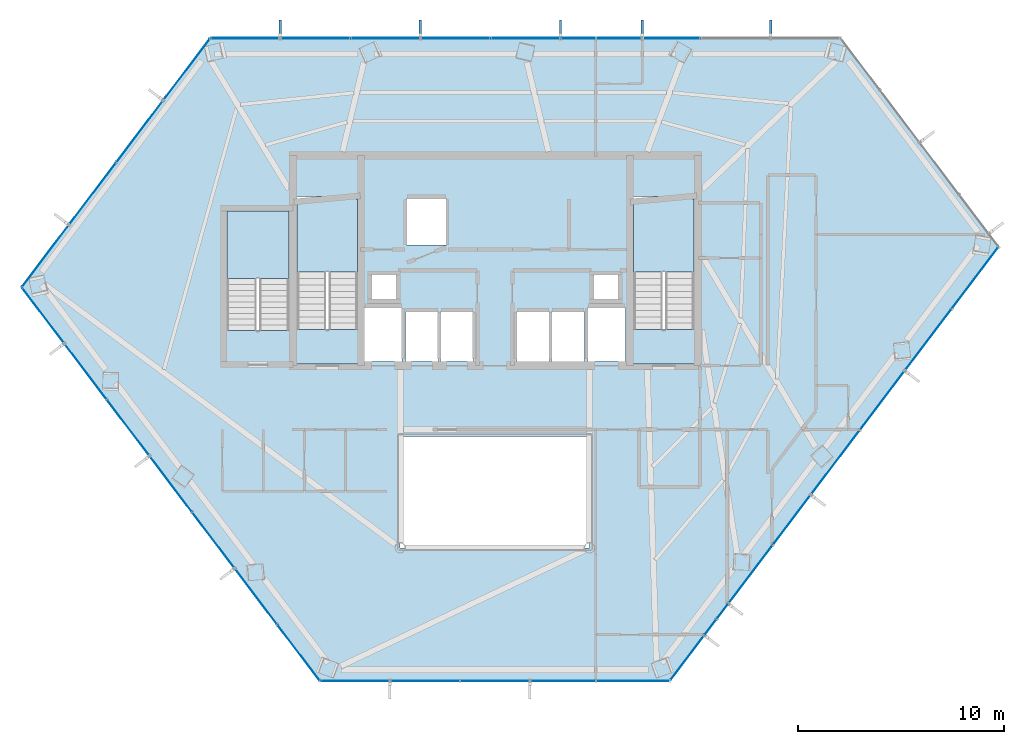
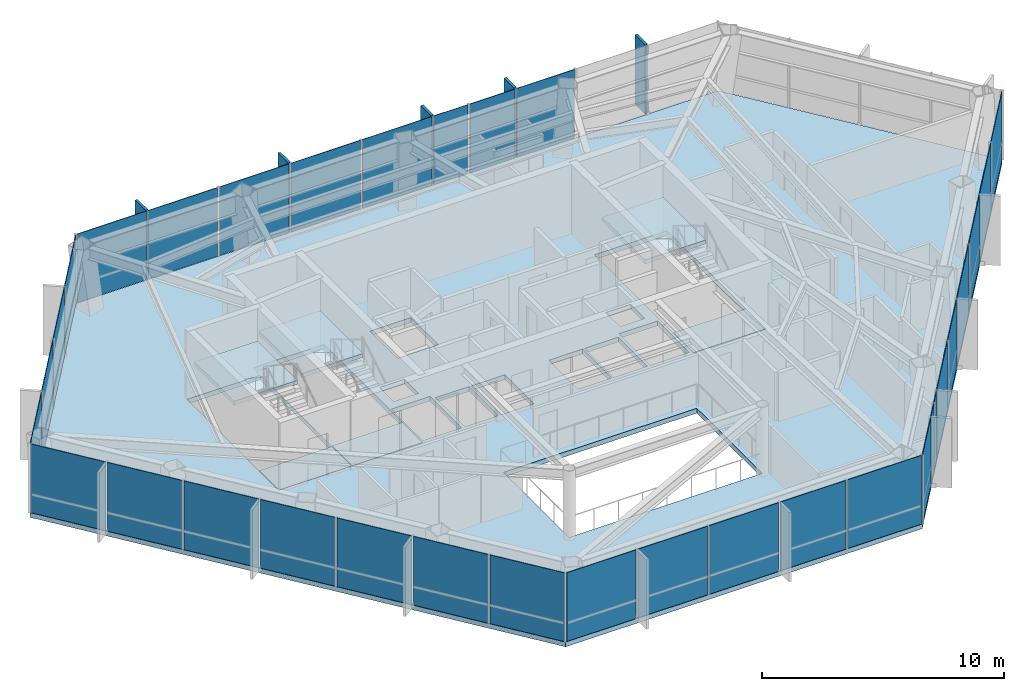
# One storey, part 24 of 29: 33 plates, 7 slabs, 5 members, 8 elements without a shape of their own.
"""IFC4 building model written with IfcOpenShell, lengths in metres."""

from ifc_helpers import new_model, si_unit, direction, frame, origin, origin_2d, place, context, subcontext, project, spatial, polyline, rectangle, outline, extrude, material, layer, layer_set, material_profile, profile_set, type_object, element, aggregate, save


model = new_model("IFC4")

# Units and contexts
model_context = context("Model", 3, precision=1e-05, world=origin(), true_north=direction((0.0, 1.0)))
body_context = subcontext(model_context, "Body", "Model", "MODEL_VIEW")
ifc_project = project(units=[si_unit("LENGTHUNIT", "METRE"), si_unit("AREAUNIT", "SQUARE_METRE"), si_unit("VOLUMEUNIT", "CUBIC_METRE"), si_unit("PLANEANGLEUNIT", "RADIAN"), si_unit("MASSUNIT", "GRAM", prefix="KILO")], contexts=[model_context])

# Site, building, storey
site_placement = place(None, origin())
site = spatial("IfcSite", under=ifc_project, at=site_placement, CompositionType="ELEMENT")
building_placement = place(site_placement, origin())
building = spatial("IfcBuilding", under=site, at=building_placement, Name="Zarrinselat Tower", CompositionType="ELEMENT")
storey_placement = place(building_placement, frame((0.0, 0.0, 142.1201171875)))
storey = spatial("IfcBuildingStorey", under=building, at=storey_placement, Name="L34", CompositionType="ELEMENT", Elevation=142.1201171875)

# Curtain wall, members, plates
ifc_material_1 = material(Name="Extruded Aluminium Alloy EN AW-6063 T6", Category="aluminium")
ifc_layer_1 = layer(ifc_material_1, 0.175048828125)
ifc_layer_set_1 = layer_set([ifc_layer_1], Name="Extruded Aluminium Alloy EN AW-6063 T6")
curtain_wall_type = type_object("IfcCurtainWallType", Name="CWS-HTL", PredefinedType="NOTDEFINED", material=ifc_layer_set_1)
curtain_wall_1_placement = place(storey_placement, origin())
curtain_wall_1 = element("IfcCurtainWall", 1, at=curtain_wall_1_placement, inside=storey, type_object=curtain_wall_type, Name="L34 Unitised Curtain Wall CW-L34-E01", PredefinedType="NOTDEFINED")
ifc_material_2 = material(Name="Honed Cream Travertine Stone", Category="masonry")
ifc_material_profile = material_profile(ifc_material_2, rectangle(XDim=0.1201171875, YDim=0.85009765625, at=origin_2d()), Name="FIN 850x120")
ifc_profile_set = profile_set([ifc_material_profile], Name="Honed Cream Travertine Stone")
member_type = type_object("IfcMemberType", Name="MEM-STONE-FIN", PredefinedType="USERDEFINED", material=ifc_profile_set)
member_1_placement = place(storey_placement, frame((51.787353515625, 49.610107421875, 0.0), z_axis=(0.0, 0.0, 1.0), x_axis=(1.0, 0.0, 0.0)))
member_1 = element("IfcMember", 2, at=member_1_placement, type_object=member_type, Name="L34 Stone Shading Fin CW-L34-E01-01", ObjectType="FIN", PredefinedType="USERDEFINED", context=body_context, shape_type="SweptSolid", body=[
    extrude(rectangle(XDim=0.1201171875, YDim=0.85009765625, at=origin_2d()), origin(), (0.0, 0.0, 1.0), 3.5),
])
member_2_placement = place(storey_placement, frame((45.550048828125, 49.610107421875, 0.0), z_axis=(0.0, 0.0, 1.0), x_axis=(1.0, 0.0, 0.0)))
member_2 = element("IfcMember", 3, at=member_2_placement, type_object=member_type, Name="L34 Stone Shading Fin CW-L34-E01-03", ObjectType="FIN", PredefinedType="USERDEFINED", context=body_context, shape_type="SweptSolid", body=[
    extrude(rectangle(XDim=0.1201171875, YDim=0.85009765625, at=origin_2d()), origin(), (0.0, 0.0, 1.0), 3.5),
])
member_3_placement = place(storey_placement, frame((41.585205078125, 49.610107421875, 0.0), z_axis=(0.0, 0.0, 1.0), x_axis=(1.0, 0.0, 0.0)))
member_3 = element("IfcMember", 4, at=member_3_placement, type_object=member_type, Name="L34 Stone Shading Fin CW-L34-E01-05", ObjectType="FIN", PredefinedType="USERDEFINED", context=body_context, shape_type="SweptSolid", body=[
    extrude(rectangle(XDim=0.1201171875, YDim=0.85009765625, at=origin_2d()), origin(), (0.0, 0.0, 1.0), 3.5),
])
member_4_placement = place(storey_placement, frame((34.78369140625, 49.610107421875, 0.0), z_axis=(0.0, 0.0, 1.0), x_axis=(1.0, 0.0, 0.0)))
member_4 = element("IfcMember", 5, at=member_4_placement, type_object=member_type, Name="L34 Stone Shading Fin CW-L34-E01-07", ObjectType="FIN", PredefinedType="USERDEFINED", context=body_context, shape_type="SweptSolid", body=[
    extrude(rectangle(XDim=0.1201171875, YDim=0.85009765625, at=origin_2d()), origin(), (0.0, 0.0, 1.0), 3.5),
])
member_5_placement = place(storey_placement, frame((27.982177734375, 49.610107421875, 0.0), z_axis=(0.0, 0.0, 1.0), x_axis=(1.0, 0.0, 0.0)))
member_5 = element("IfcMember", 6, at=member_5_placement, type_object=member_type, Name="L34 Stone Shading Fin CW-L34-E01-09", ObjectType="FIN", PredefinedType="USERDEFINED", context=body_context, shape_type="SweptSolid", body=[
    extrude(rectangle(XDim=0.1201171875, YDim=0.85009765625, at=origin_2d()), origin(), (0.0, 0.0, 1.0), 3.5),
])
ifc_material_3 = material(Name="Double Low-E Laminated Solar Glass", Category="glass")
ifc_layer_2 = layer(ifc_material_3, 0.028076171875)
ifc_layer_set_2 = layer_set([ifc_layer_2], Name="Double Low-E Laminated Solar Glass")
plate_type = type_object("IfcPlateType", Name="PLT-CW-GL28", PredefinedType="CURTAIN_PANEL", material=ifc_layer_set_2)
plate_1_placement = place(storey_placement, frame((46.96826171875, 49.14990234375, 0.02001953125), z_axis=(0.0, 0.0, 1.0), x_axis=(-1.0, 0.0, 0.0)))
plate_1 = element("IfcPlate", 7, at=plate_1_placement, type_object=plate_type, Name="CW-L34-E01 Vision Glass Panel 3", PredefinedType="CURTAIN_PANEL", context=body_context, shape_type="SweptSolid", body=[
    extrude(rectangle(XDim=2.736572265625, YDim=0.028076171875, at=origin_2d()), origin(), (0.0, 0.0, 1.0), 3.4599609375),
])
plate_2_placement = place(storey_placement, frame((44.425048828125, 49.14990234375, 0.02001953125), z_axis=(0.0, 0.0, 1.0), x_axis=(-1.0, 0.0, 0.0)))
plate_2 = element("IfcPlate", 8, at=plate_2_placement, type_object=plate_type, Name="CW-L34-E01 Vision Glass Panel 4", PredefinedType="CURTAIN_PANEL", context=body_context, shape_type="SweptSolid", body=[
    extrude(rectangle(XDim=2.14990234375, YDim=0.028076171875, at=origin_2d()), origin(), (0.0, 0.0, 1.0), 3.4599609375),
])
plate_3_placement = place(storey_placement, frame((42.4423828125, 49.14990234375, 0.02001953125), z_axis=(0.0, 0.0, 1.0), x_axis=(-1.0, 0.0, 0.0)))
plate_3 = element("IfcPlate", 9, at=plate_3_placement, type_object=plate_type, Name="CW-L34-E01 Vision Glass Panel 5", PredefinedType="CURTAIN_PANEL", context=body_context, shape_type="SweptSolid", body=[
    extrude(rectangle(XDim=1.614990234375, YDim=0.028076171875, at=origin_2d()), origin(), (0.0, 0.0, 1.0), 3.4599609375),
])
plate_4_placement = place(storey_placement, frame((39.884765625, 49.14990234375, 0.02001953125), z_axis=(0.0, 0.0, 1.0), x_axis=(-1.0, 0.0, 0.0)))
plate_4 = element("IfcPlate", 10, at=plate_4_placement, type_object=plate_type, Name="CW-L34-E01 Vision Glass Panel 6", PredefinedType="CURTAIN_PANEL", context=body_context, shape_type="SweptSolid", body=[
    extrude(rectangle(XDim=3.30078125, YDim=0.028076171875, at=origin_2d()), origin(), (0.0, 0.0, 1.0), 3.4599609375),
])
plate_5_placement = place(storey_placement, frame((36.48388671875, 49.14990234375, 0.02001953125), z_axis=(0.0, 0.0, 1.0), x_axis=(-1.0, 0.0, 0.0)))
plate_5 = element("IfcPlate", 11, at=plate_5_placement, type_object=plate_type, Name="CW-L34-E01 Vision Glass Panel 7", PredefinedType="CURTAIN_PANEL", context=body_context, shape_type="SweptSolid", body=[
    extrude(rectangle(XDim=3.30078125, YDim=0.028076171875, at=origin_2d()), origin(), (0.0, 0.0, 1.0), 3.4599609375),
])
plate_6_placement = place(storey_placement, frame((33.083251953125, 49.14990234375, 0.02001953125), z_axis=(0.0, 0.0, 1.0), x_axis=(-1.0, 0.0, 0.0)))
plate_6 = element("IfcPlate", 12, at=plate_6_placement, type_object=plate_type, Name="CW-L34-E01 Vision Glass Panel 8", PredefinedType="CURTAIN_PANEL", context=body_context, shape_type="SweptSolid", body=[
    extrude(rectangle(XDim=3.30078125, YDim=0.028076171875, at=origin_2d()), origin(), (0.0, 0.0, 1.0), 3.4599609375),
])
plate_7_placement = place(storey_placement, frame((29.6826171875, 49.14990234375, 0.02001953125), z_axis=(0.0, 0.0, 1.0), x_axis=(-1.0, 0.0, 0.0)))
plate_7 = element("IfcPlate", 13, at=plate_7_placement, type_object=plate_type, Name="CW-L34-E01 Vision Glass Panel 9", PredefinedType="CURTAIN_PANEL", context=body_context, shape_type="SweptSolid", body=[
    extrude(rectangle(XDim=3.30078125, YDim=0.028076171875, at=origin_2d()), origin(), (0.0, 0.0, 1.0), 3.4599609375),
])
plate_8_placement = place(storey_placement, frame((26.28173828125, 49.14990234375, 0.02001953125), z_axis=(0.0, 0.0, 1.0), x_axis=(-1.0, 0.0, 0.0)))
plate_8 = element("IfcPlate", 14, at=plate_8_placement, type_object=plate_type, Name="CW-L34-E01 Vision Glass Panel 10", PredefinedType="CURTAIN_PANEL", context=body_context, shape_type="SweptSolid", body=[
    extrude(rectangle(XDim=3.30078125, YDim=0.028076171875, at=origin_2d()), origin(), (0.0, 0.0, 1.0), 3.4599609375),
])
aggregate(curtain_wall_1, [member_1, member_2, member_3, member_4, member_5, plate_1, plate_2, plate_3, plate_4, plate_5, plate_6, plate_7, plate_8])

# Curtain wall, plates
curtain_wall_2_placement = place(storey_placement, origin())
curtain_wall_2 = element("IfcCurtainWall", 15, at=curtain_wall_2_placement, inside=storey, type_object=curtain_wall_type, Name="L34 Unitised Curtain Wall CW-L34-E02", PredefinedType="NOTDEFINED")
plate_9_placement = place(storey_placement, frame((23.4365234375, 47.638916015625, 0.02001953125), z_axis=(0.0, 0.0, 1.0), x_axis=(-0.603859211262, -0.797090994162, 0.0)))
plate_9 = element("IfcPlate", 16, at=plate_9_placement, type_object=plate_type, Name="CW-L34-E02 Vision Glass Panel 1", PredefinedType="CURTAIN_PANEL", context=body_context, shape_type="SweptSolid", body=[
    extrude(rectangle(XDim=3.69189453125, YDim=0.028076171875, at=origin_2d()), origin(), (0.0, 0.0, 1.0), 3.4599609375),
])
plate_10_placement = place(storey_placement, frame((21.146728515625, 44.616455078125, 0.02001953125), z_axis=(0.0, 0.0, 1.0), x_axis=(-0.603859211262, -0.797090994162, 0.0)))
plate_10 = element("IfcPlate", 17, at=plate_10_placement, type_object=plate_type, Name="CW-L34-E02 Vision Glass Panel 2", PredefinedType="CURTAIN_PANEL", context=body_context, shape_type="SweptSolid", body=[
    extrude(rectangle(XDim=3.69189453125, YDim=0.028076171875, at=origin_2d()), origin(), (0.0, 0.0, 1.0), 3.4599609375),
])
plate_11_placement = place(storey_placement, frame((18.857177734375, 41.593994140625, 0.02001953125), z_axis=(0.0, 0.0, 1.0), x_axis=(-0.603859211262, -0.797090994162, 0.0)))
plate_11 = element("IfcPlate", 18, at=plate_11_placement, type_object=plate_type, Name="CW-L34-E02 Vision Glass Panel 3", PredefinedType="CURTAIN_PANEL", context=body_context, shape_type="SweptSolid", body=[
    extrude(rectangle(XDim=3.69189453125, YDim=0.028076171875, at=origin_2d()), origin(), (0.0, 0.0, 1.0), 3.4599609375),
])
plate_12_placement = place(storey_placement, frame((16.5673828125, 38.571533203125, 0.02001953125), z_axis=(0.0, 0.0, 1.0), x_axis=(-0.603859211262, -0.797090994162, 0.0)))
plate_12 = element("IfcPlate", 19, at=plate_12_placement, type_object=plate_type, Name="CW-L34-E02 Vision Glass Panel 4", PredefinedType="CURTAIN_PANEL", context=body_context, shape_type="SweptSolid", body=[
    extrude(rectangle(XDim=3.69189453125, YDim=0.028076171875, at=origin_2d()), origin(), (0.0, 0.0, 1.0), 3.4599609375),
])
aggregate(curtain_wall_2, [plate_9, plate_10, plate_11, plate_12])

curtain_wall_3_placement = place(storey_placement, origin())
curtain_wall_3 = element("IfcCurtainWall", 20, at=curtain_wall_3_placement, inside=storey, type_object=curtain_wall_type, Name="L34 Unitised Curtain Wall CW-L34-E03", PredefinedType="NOTDEFINED")
plate_13_placement = place(storey_placement, frame((16.456787109375, 35.695068359375, 0.02001953125), z_axis=(0.0, 0.0, 1.0), x_axis=(0.603855520216, -0.797093790407, 0.0)))
plate_13 = element("IfcPlate", 21, at=plate_13_placement, type_object=plate_type, Name="CW-L34-E03 Vision Glass Panel 1", PredefinedType="CURTAIN_PANEL", context=body_context, shape_type="SweptSolid", body=[
    extrude(rectangle(XDim=3.32568359375, YDim=0.028076171875, at=origin_2d()), origin(), (0.0, 0.0, 1.0), 3.4599609375),
])
plate_14_placement = place(storey_placement, frame((18.525390625, 32.96435546875, 0.02001953125), z_axis=(0.0, 0.0, 1.0), x_axis=(0.603855520216, -0.797093790407, 0.0)))
plate_14 = element("IfcPlate", 22, at=plate_14_placement, type_object=plate_type, Name="CW-L34-E03 Vision Glass Panel 2", PredefinedType="CURTAIN_PANEL", context=body_context, shape_type="SweptSolid", body=[
    extrude(rectangle(XDim=3.32568359375, YDim=0.028076171875, at=origin_2d()), origin(), (0.0, 0.0, 1.0), 3.4599609375),
])
plate_15_placement = place(storey_placement, frame((20.593994140625, 30.233642578125, 0.02001953125), z_axis=(0.0, 0.0, 1.0), x_axis=(0.603855520216, -0.797093790407, 0.0)))
plate_15 = element("IfcPlate", 23, at=plate_15_placement, type_object=plate_type, Name="CW-L34-E03 Vision Glass Panel 3", PredefinedType="CURTAIN_PANEL", context=body_context, shape_type="SweptSolid", body=[
    extrude(rectangle(XDim=3.32568359375, YDim=0.028076171875, at=origin_2d()), origin(), (0.0, 0.0, 1.0), 3.4599609375),
])
plate_16_placement = place(storey_placement, frame((22.662841796875, 27.5029296875, 0.02001953125), z_axis=(0.0, 0.0, 1.0), x_axis=(0.603855520216, -0.797093790407, 0.0)))
plate_16 = element("IfcPlate", 24, at=plate_16_placement, type_object=plate_type, Name="CW-L34-E03 Vision Glass Panel 4", PredefinedType="CURTAIN_PANEL", context=body_context, shape_type="SweptSolid", body=[
    extrude(rectangle(XDim=3.32568359375, YDim=0.028076171875, at=origin_2d()), origin(), (0.0, 0.0, 1.0), 3.4599609375),
])
plate_17_placement = place(storey_placement, frame((24.7314453125, 24.7724609375, 0.02001953125), z_axis=(0.0, 0.0, 1.0), x_axis=(0.603855520216, -0.797093790407, 0.0)))
plate_17 = element("IfcPlate", 25, at=plate_17_placement, type_object=plate_type, Name="CW-L34-E03 Vision Glass Panel 5", PredefinedType="CURTAIN_PANEL", context=body_context, shape_type="SweptSolid", body=[
    extrude(rectangle(XDim=3.32568359375, YDim=0.028076171875, at=origin_2d()), origin(), (0.0, 0.0, 1.0), 3.4599609375),
])
plate_18_placement = place(storey_placement, frame((26.800048828125, 22.041748046875, 0.02001953125), z_axis=(0.0, 0.0, 1.0), x_axis=(0.603855520216, -0.797093790407, 0.0)))
plate_18 = element("IfcPlate", 26, at=plate_18_placement, type_object=plate_type, Name="CW-L34-E03 Vision Glass Panel 6", PredefinedType="CURTAIN_PANEL", context=body_context, shape_type="SweptSolid", body=[
    extrude(rectangle(XDim=3.32568359375, YDim=0.028076171875, at=origin_2d()), origin(), (0.0, 0.0, 1.0), 3.4599609375),
])
plate_19_placement = place(storey_placement, frame((28.868896484375, 19.31103515625, 0.02001953125), z_axis=(0.0, 0.0, 1.0), x_axis=(0.603855520216, -0.797093790407, 0.0)))
plate_19 = element("IfcPlate", 27, at=plate_19_placement, type_object=plate_type, Name="CW-L34-E03 Vision Glass Panel 7", PredefinedType="CURTAIN_PANEL", context=body_context, shape_type="SweptSolid", body=[
    extrude(rectangle(XDim=3.32568359375, YDim=0.028076171875, at=origin_2d()), origin(), (0.0, 0.0, 1.0), 3.4599609375),
])
aggregate(curtain_wall_3, [plate_13, plate_14, plate_15, plate_16, plate_17, plate_18, plate_19])

curtain_wall_4_placement = place(storey_placement, origin())
curtain_wall_4 = element("IfcCurtainWall", 28, at=curtain_wall_4_placement, inside=storey, type_object=curtain_wall_type, Name="L34 Unitised Curtain Wall CW-L34-E04", PredefinedType="NOTDEFINED")
plate_20_placement = place(storey_placement, frame((31.6025390625, 17.94580078125, 0.02001953125), z_axis=(0.0, 0.0, 1.0), x_axis=(1.0, 0.0, 0.0)))
plate_20 = element("IfcPlate", 29, at=plate_20_placement, type_object=plate_type, Name="CW-L34-E04 Vision Glass Panel 1", PredefinedType="CURTAIN_PANEL", context=body_context, shape_type="SweptSolid", body=[
    extrude(rectangle(XDim=3.298828125, YDim=0.028076171875, at=origin_2d()), origin(), (0.0, 0.0, 1.0), 3.4599609375),
])
plate_21_placement = place(storey_placement, frame((35.001220703125, 17.94580078125, 0.02001953125), z_axis=(0.0, 0.0, 1.0), x_axis=(1.0, 0.0, 0.0)))
plate_21 = element("IfcPlate", 30, at=plate_21_placement, type_object=plate_type, Name="CW-L34-E04 Vision Glass Panel 2", PredefinedType="CURTAIN_PANEL", context=body_context, shape_type="SweptSolid", body=[
    extrude(rectangle(XDim=3.298828125, YDim=0.028076171875, at=origin_2d()), origin(), (0.0, 0.0, 1.0), 3.4599609375),
])
plate_22_placement = place(storey_placement, frame((38.39990234375, 17.94580078125, 0.02001953125), z_axis=(0.0, 0.0, 1.0), x_axis=(1.0, 0.0, 0.0)))
plate_22 = element("IfcPlate", 31, at=plate_22_placement, type_object=plate_type, Name="CW-L34-E04 Vision Glass Panel 3", PredefinedType="CURTAIN_PANEL", context=body_context, shape_type="SweptSolid", body=[
    extrude(rectangle(XDim=3.298828125, YDim=0.028076171875, at=origin_2d()), origin(), (0.0, 0.0, 1.0), 3.4599609375),
])
plate_23_placement = place(storey_placement, frame((41.69970703125, 17.94580078125, 0.02001953125), z_axis=(0.0, 0.0, 1.0), x_axis=(1.0, 0.0, 0.0)))
plate_23 = element("IfcPlate", 32, at=plate_23_placement, type_object=plate_type, Name="CW-L34-E04 Vision Glass Panel 4", PredefinedType="CURTAIN_PANEL", context=body_context, shape_type="SweptSolid", body=[
    extrude(rectangle(XDim=3.1005859375, YDim=0.028076171875, at=origin_2d()), origin(), (0.0, 0.0, 1.0), 3.4599609375),
])
plate_24_placement = place(storey_placement, frame((45.098388671875, 17.94580078125, 0.02001953125), z_axis=(0.0, 0.0, 1.0), x_axis=(1.0, 0.0, 0.0)))
plate_24 = element("IfcPlate", 33, at=plate_24_placement, type_object=plate_type, Name="CW-L34-E04 Vision Glass Panel 5", PredefinedType="CURTAIN_PANEL", context=body_context, shape_type="SweptSolid", body=[
    extrude(rectangle(XDim=3.496826171875, YDim=0.028076171875, at=origin_2d()), origin(), (0.0, 0.0, 1.0), 3.4599609375),
])
aggregate(curtain_wall_4, [plate_20, plate_21, plate_22, plate_23, plate_24])

curtain_wall_5_placement = place(storey_placement, origin())
curtain_wall_5 = element("IfcCurtainWall", 34, at=curtain_wall_5_placement, inside=storey, type_object=curtain_wall_type, Name="L34 Unitised Curtain Wall CW-L34-E05", PredefinedType="NOTDEFINED")
plate_25_placement = place(storey_placement, frame((47.73388671875, 19.05078125, 0.02001953125), z_axis=(0.0, 0.0, 1.0), x_axis=(0.603855794642, 0.797093582509, 0.0)))
plate_25 = element("IfcPlate", 35, at=plate_25_placement, type_object=plate_type, Name="CW-L34-E05 Vision Glass Panel 1", PredefinedType="CURTAIN_PANEL", context=body_context, shape_type="SweptSolid", body=[
    extrude(rectangle(XDim=2.67236328125, YDim=0.028076171875, at=origin_2d()), origin(), (0.0, 0.0, 1.0), 3.4599609375),
])
plate_26_placement = place(storey_placement, frame((48.874267578125, 20.555908203125, 0.02001953125), z_axis=(0.0, 0.0, 1.0), x_axis=(0.603855794642, 0.797093582509, 0.0)))
plate_26 = element("IfcPlate", 36, at=plate_26_placement, type_object=plate_type, Name="CW-L34-E05 Vision Glass Panel 2", PredefinedType="CURTAIN_PANEL", context=body_context, shape_type="SweptSolid", body=[
    extrude(rectangle(XDim=0.90478515625, YDim=0.028076171875, at=origin_2d()), origin(), (0.0, 0.0, 1.0), 3.4599609375),
])
plate_27_placement = place(storey_placement, frame((49.45458984375, 21.322021484375, 0.02001953125), z_axis=(0.0, 0.0, 1.0), x_axis=(0.603855794642, 0.797093582509, 0.0)))
plate_27 = element("IfcPlate", 37, at=plate_27_placement, type_object=plate_type, Name="CW-L34-E05 Vision Glass Panel 3", PredefinedType="CURTAIN_PANEL", context=body_context, shape_type="SweptSolid", body=[
    extrude(rectangle(XDim=0.81689453125, YDim=0.028076171875, at=origin_2d()), origin(), (0.0, 0.0, 1.0), 3.4599609375),
])
plate_28_placement = place(storey_placement, frame((50.816650390625, 23.119873046875, 0.02001953125), z_axis=(0.0, 0.0, 1.0), x_axis=(0.603855794642, 0.797093582509, 0.0)))
plate_28 = element("IfcPlate", 38, at=plate_28_placement, type_object=plate_type, Name="CW-L34-E05 Vision Glass Panel 4", PredefinedType="CURTAIN_PANEL", context=body_context, shape_type="SweptSolid", body=[
    extrude(rectangle(XDim=3.494384765625, YDim=0.028076171875, at=origin_2d()), origin(), (0.0, 0.0, 1.0), 3.4599609375),
])
plate_29_placement = place(storey_placement, frame((52.820556640625, 25.764892578125, 0.02001953125), z_axis=(0.0, 0.0, 1.0), x_axis=(0.603855794642, 0.797093582509, 0.0)))
plate_29 = element("IfcPlate", 39, at=plate_29_placement, type_object=plate_type, Name="CW-L34-E05 Vision Glass Panel 5", PredefinedType="CURTAIN_PANEL", context=body_context, shape_type="SweptSolid", body=[
    extrude(rectangle(XDim=2.942626953125, YDim=0.028076171875, at=origin_2d()), origin(), (0.0, 0.0, 1.0), 3.4599609375),
])
plate_30_placement = place(storey_placement, frame((54.927001953125, 28.545654296875, 0.02001953125), z_axis=(0.0, 0.0, 1.0), x_axis=(0.603855794642, 0.797093582509, 0.0)))
plate_30 = element("IfcPlate", 40, at=plate_30_placement, type_object=plate_type, Name="CW-L34-E05 Vision Glass Panel 6", PredefinedType="CURTAIN_PANEL", context=body_context, shape_type="SweptSolid", body=[
    extrude(rectangle(XDim=3.83447265625, YDim=0.028076171875, at=origin_2d()), origin(), (0.0, 0.0, 1.0), 3.4599609375),
])
plate_31_placement = place(storey_placement, frame((57.2080078125, 31.556396484375, 0.02001953125), z_axis=(0.0, 0.0, 1.0), x_axis=(0.603855794642, 0.797093582509, 0.0)))
plate_31 = element("IfcPlate", 41, at=plate_31_placement, type_object=plate_type, Name="CW-L34-E05 Vision Glass Panel 7", PredefinedType="CURTAIN_PANEL", context=body_context, shape_type="SweptSolid", body=[
    extrude(rectangle(XDim=3.51953125, YDim=0.028076171875, at=origin_2d()), origin(), (0.0, 0.0, 1.0), 3.4599609375),
])
plate_32_placement = place(storey_placement, frame((59.441162109375, 34.504150390625, 0.02001953125), z_axis=(0.0, 0.0, 1.0), x_axis=(0.603855794642, 0.797093582509, 0.0)))
plate_32 = element("IfcPlate", 42, at=plate_32_placement, type_object=plate_type, Name="CW-L34-E05 Vision Glass Panel 8", PredefinedType="CURTAIN_PANEL", context=body_context, shape_type="SweptSolid", body=[
    extrude(rectangle(XDim=3.677001953125, YDim=0.028076171875, at=origin_2d()), origin(), (0.0, 0.0, 1.0), 3.4599609375),
])
plate_33_placement = place(storey_placement, frame((61.7216796875, 37.514892578125, 0.02001953125), z_axis=(0.0, 0.0, 1.0), x_axis=(0.603855794642, 0.797093582509, 0.0)))
plate_33 = element("IfcPlate", 43, at=plate_33_placement, type_object=plate_type, Name="CW-L34-E05 Vision Glass Panel 9", PredefinedType="CURTAIN_PANEL", context=body_context, shape_type="SweptSolid", body=[
    extrude(rectangle(XDim=3.677001953125, YDim=0.028076171875, at=origin_2d()), origin(), (0.0, 0.0, 1.0), 3.4599609375),
])
aggregate(curtain_wall_5, [plate_25, plate_26, plate_27, plate_28, plate_29, plate_30, plate_31, plate_32, plate_33])

# Slabs
ifc_material_4 = material(Name="Concrete C40/50", Category="concrete")
ifc_layer_3 = layer(ifc_material_4, 0.239990234375)
ifc_layer_set_3 = layer_set([ifc_layer_3], Name="Concrete C40/50")
slab_type_1 = type_object("IfcSlabType", Name="SLB-FLOOR-240-SL-HT240", PredefinedType="FLOOR", material=ifc_layer_set_3)
slab_1_placement = place(storey_placement, frame((0.0, 0.0, -0.240234375)))
element("IfcSlab", 44, at=slab_1_placement, inside=storey, type_object=slab_type_1, Name="L34 Primary Structural Slab", PredefinedType="FLOOR", context=body_context, shape_type="SweptSolid", body=[
    extrude(outline(polyline([(55.18798828125, 49.14990234375), (24.581298828125, 49.14990234375), (15.422607421875, 37.060302734375), (29.903076171875, 17.94580078125), (46.89697265625, 17.94580078125), (62.8623046875, 39.02001953125), (55.18798828125, 49.14990234375)]), holes=[polyline([(35.64990234375, 33.449951171875), (34.050048828125, 33.449951171875), (34.050048828125, 35.85009765625), (35.64990234375, 35.85009765625), (35.64990234375, 33.449951171875)]), polyline([(35.75, 33.449951171875), (35.75, 35.85009765625), (37.35009765625, 35.85009765625), (37.35009765625, 33.449951171875), (35.75, 33.449951171875)]), polyline([(32.06005859375, 33.449951171875), (32.06005859375, 36.050048828125), (33.89990234375, 36.050048828125), (33.89990234375, 33.449951171875), (32.06005859375, 33.449951171875)]), polyline([(33.60009765625, 36.47998046875), (32.419921875, 36.47998046875), (32.419921875, 37.639892578125), (33.60009765625, 37.639892578125), (33.60009765625, 36.47998046875)]), polyline([(28.594970703125, 33.324951171875), (25.114990234375, 33.324951171875), (25.114990234375, 40.875), (28.594970703125, 40.875), (28.594970703125, 33.324951171875)]), polyline([(31.985107421875, 33.324951171875), (28.60498046875, 33.324951171875), (28.60498046875, 41.47509765625), (31.985107421875, 41.47509765625), (31.985107421875, 33.324951171875)]), polyline([(36.050048828125, 39.10009765625), (34.10009765625, 39.10009765625), (34.10009765625, 41.35009765625), (36.050048828125, 41.35009765625), (36.050048828125, 39.10009765625)]), polyline([(33.800048828125, 24.39990234375), (33.800048828125, 29.800048828125), (43.0, 29.800048828125), (43.0, 24.39990234375), (33.800048828125, 24.39990234375)]), polyline([(39.449951171875, 33.449951171875), (39.449951171875, 35.85009765625), (41.050048828125, 35.85009765625), (41.050048828125, 33.449951171875), (39.449951171875, 33.449951171875)]), polyline([(41.14990234375, 33.449951171875), (41.14990234375, 35.85009765625), (42.75, 35.85009765625), (42.75, 33.449951171875), (41.14990234375, 33.449951171875)]), polyline([(42.89990234375, 33.449951171875), (42.89990234375, 36.050048828125), (44.739990234375, 36.050048828125), (44.739990234375, 33.449951171875), (42.89990234375, 33.449951171875)]), polyline([(43.199951171875, 36.47998046875), (43.199951171875, 37.639892578125), (44.3798828125, 37.639892578125), (44.3798828125, 36.47998046875), (43.199951171875, 36.47998046875)]), polyline([(48.324951171875, 33.324951171875), (44.875, 33.324951171875), (44.875, 41.47509765625), (48.324951171875, 41.47509765625), (48.324951171875, 33.324951171875)])]), origin(), (0.0, 0.0, 1.0), 0.240234375),
])
slab_2_placement = place(storey_placement, frame((0.0, 0.0, -0.240234375)))
element("IfcSlab", 45, at=slab_2_placement, inside=storey, type_object=slab_type_1, Name="L34 Stair ST-1-FL1 Structural Floor Landing", PredefinedType="FLOOR", context=body_context, shape_type="SweptSolid", body=[
    extrude(outline(polyline([(31.97998046875, 33.330078125), (31.97998046875, 35.0), (28.610107421875, 35.0), (28.610107421875, 33.330078125), (31.97998046875, 33.330078125)])), origin(), (0.0, 0.0, 1.0), 0.240234375),
])
slab_3_placement = place(storey_placement, frame((0.0, 0.0, -0.240234375)))
element("IfcSlab", 46, at=slab_3_placement, inside=storey, type_object=slab_type_1, Name="L34 Stair ST-2-FL1 Structural Floor Landing", PredefinedType="FLOOR", context=body_context, shape_type="SweptSolid", body=[
    extrude(outline(polyline([(48.320068359375, 33.330078125), (48.320068359375, 35.0), (44.8798828125, 35.0), (44.8798828125, 33.330078125), (48.320068359375, 33.330078125)])), origin(), (0.0, 0.0, 1.0), 0.240234375),
])
slab_4_placement = place(storey_placement, frame((0.0, 0.0, -0.240234375)))
element("IfcSlab", 47, at=slab_4_placement, inside=storey, type_object=slab_type_1, Name="L34 Stair ST-3-FL1 Structural Floor Landing", PredefinedType="FLOOR", context=body_context, shape_type="SweptSolid", body=[
    extrude(outline(polyline([(28.590087890625, 33.330078125), (28.590087890625, 34.949951171875), (25.1201171875, 34.949951171875), (25.1201171875, 33.330078125), (28.590087890625, 33.330078125)])), origin(), (0.0, 0.0, 1.0), 0.240234375),
])

# Stair, slab
ifc_material_5 = material(Name="Concrete C40/50", Category="concrete")
stair_type_1 = type_object("IfcStairType", Name="STR-CORE-145", PredefinedType="HALF_TURN_STAIR", material=ifc_material_5)
stair_1_placement = place(storey_placement, origin())
stair_1 = element("IfcStair", 48, at=stair_1_placement, inside=storey, type_object=stair_type_1, Name="L34 Podium & Mid-Tower Exit Stair 3", PredefinedType="HALF_TURN_STAIR")
ifc_material_6 = material(Name="Concrete C40/50", Category="concrete")
ifc_layer_4 = layer(ifc_material_6, 0.1650390625)
ifc_layer_set_4 = layer_set([ifc_layer_4], Name="Concrete C40/50")
slab_type_2 = type_object("IfcSlabType", Name="SLB-LND-165", PredefinedType="LANDING", material=ifc_layer_set_4)
slab_5_placement = place(storey_placement, frame((0.0, 0.0, 1.669921875)))
slab_5 = element("IfcSlab", 49, at=slab_5_placement, type_object=slab_type_2, Name="ST-3 landing 1", PredefinedType="LANDING", context=body_context, shape_type="SweptSolid", body=[
    extrude(outline(polyline([(28.39990234375, 37.469970703125), (28.39990234375, 40.75), (25.3798828125, 40.75), (25.3798828125, 37.469970703125), (28.39990234375, 37.469970703125)])), origin(), (0.0, 0.0, 1.0), 0.199951171875),
])
aggregate(stair_1, [slab_5])

ifc_material_7 = material(Name="Concrete C40/50", Category="concrete")
stair_type_2 = type_object("IfcStairType", Name="STR-CORE-155", PredefinedType="HALF_TURN_STAIR", material=ifc_material_7)
stair_2_placement = place(storey_placement, origin())
stair_2 = element("IfcStair", 50, at=stair_2_placement, inside=storey, type_object=stair_type_2, Name="L34 Core Exit Stair 1", PredefinedType="HALF_TURN_STAIR")
ifc_material_8 = material(Name="Concrete C40/50", Category="concrete")
ifc_layer_5 = layer(ifc_material_8, 0.18994140625)
ifc_layer_set_5 = layer_set([ifc_layer_5], Name="Concrete C40/50")
slab_type_3 = type_object("IfcSlabType", Name="SLB-LND-190", PredefinedType="LANDING", material=ifc_layer_set_5)
slab_6_placement = place(storey_placement, frame((0.0, 0.0, 1.669921875)))
slab_6 = element("IfcSlab", 51, at=slab_6_placement, type_object=slab_type_3, Name="ST-1 landing 1", PredefinedType="LANDING", context=body_context, shape_type="SweptSolid", body=[
    extrude(outline(polyline([(31.719970703125, 37.7900390625), (31.719970703125, 41.35009765625), (28.800048828125, 41.35009765625), (28.800048828125, 37.7900390625), (31.719970703125, 37.7900390625)])), origin(), (0.0, 0.0, 1.0), 0.199951171875),
])
aggregate(stair_2, [slab_6])

stair_3_placement = place(storey_placement, origin())
stair_3 = element("IfcStair", 52, at=stair_3_placement, inside=storey, type_object=stair_type_2, Name="L34 Core Exit Stair 2", PredefinedType="HALF_TURN_STAIR")
slab_7_placement = place(storey_placement, frame((0.0, 0.0, 1.669921875)))
slab_7 = element("IfcSlab", 53, at=slab_7_placement, type_object=slab_type_3, Name="ST-2 landing 1", PredefinedType="LANDING", context=body_context, shape_type="SweptSolid", body=[
    extrude(outline(polyline([(48.06005859375, 37.7900390625), (48.06005859375, 41.35009765625), (45.139892578125, 41.35009765625), (45.139892578125, 37.7900390625), (48.06005859375, 37.7900390625)])), origin(), (0.0, 0.0, 1.0), 0.199951171875),
])
aggregate(stair_3, [slab_7])

save(model, "model.ifc")
